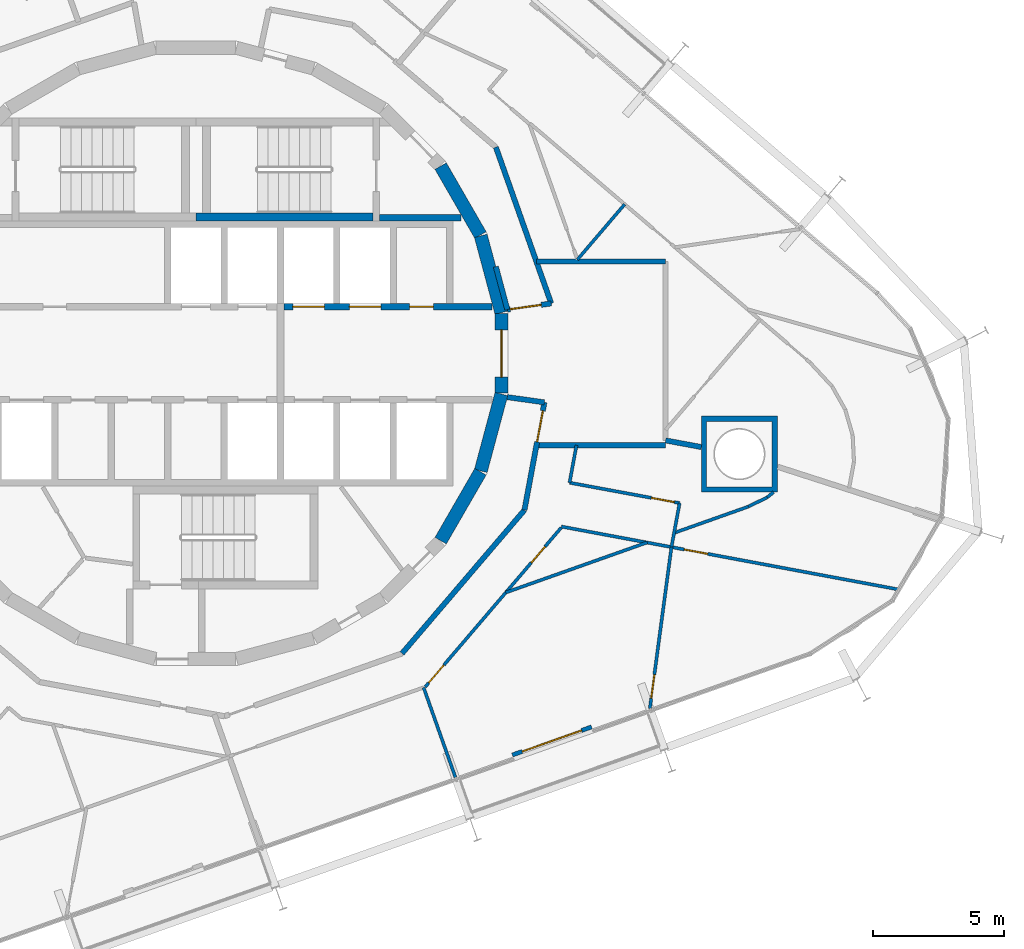
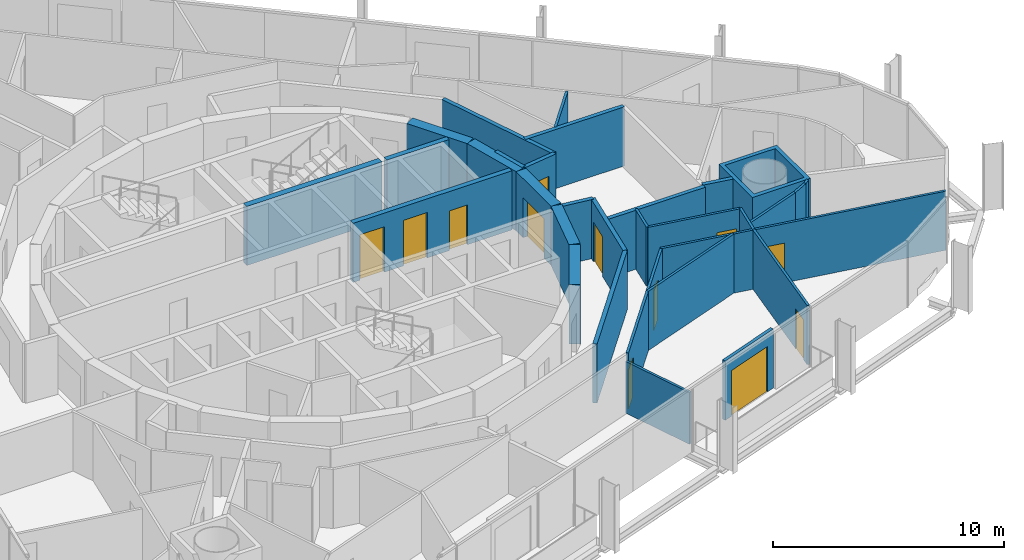
# One storey, part 13 of 17: 31 walls, 12 doors, 12 openings.
"""IFC4 building model written with IfcOpenShell, lengths in metres."""

from ifc_helpers import new_model, si_unit, direction, frame, frame_2d, origin, place, context, subcontext, project, spatial, polyline, rectangle, outline, extrude, material, layer, layer_set, type_object, element, fill, save


model = new_model("IFC4")

# Units and contexts
model_context = context("Model", 3, precision=1e-05, world=origin(), true_north=direction((0.0, 1.0)))
body_context = subcontext(model_context, "Body", "Model", "MODEL_VIEW")
ifc_project = project(units=[si_unit("LENGTHUNIT", "METRE"), si_unit("AREAUNIT", "SQUARE_METRE"), si_unit("VOLUMEUNIT", "CUBIC_METRE"), si_unit("PLANEANGLEUNIT", "RADIAN"), si_unit("MASSUNIT", "GRAM", prefix="KILO")], contexts=[model_context])

# Site, building, storey
site_placement = place(None, origin())
site = spatial("IfcSite", under=ifc_project, at=site_placement, CompositionType="ELEMENT")
building_placement = place(site_placement, origin())
building = spatial("IfcBuilding", under=site, at=building_placement, Name="Spindle Arch Residences", CompositionType="ELEMENT")
storey_placement = place(building_placement, frame((0.0, 0.0, 158.699951171875)))
storey = spatial("IfcBuildingStorey", under=building, at=storey_placement, Name="L39", CompositionType="ELEMENT", Elevation=158.699951171875)

# Walls
ifc_material_1 = material(Name="Concrete C50/60", Category="concrete")
ifc_layer_1 = layer(ifc_material_1, 0.5)
ifc_layer_set_1 = layer_set([ifc_layer_1], Name="Core outline wall 500")
wall_type_1 = type_object("IfcWallType", Name="Core outline wall 500", PredefinedType="SHEAR", material=ifc_layer_set_1)
for number, where, z_axis, x_axis, name in (
    (1, (9.32861328125, -7.13671875, 0.0), (0.0, 0.0, 1.0), (0.500087131594, 0.865975092491, 0.0), "Core outline wall 4"),
    (2, (10.858154296875, -4.479248046875, 0.0), (0.0, 0.0, 1.0), (0.258734743916, 0.965948410781, 0.0), "Core outline wall 5"),
):
    element("IfcWall", number, at=place(storey_placement, frame(where, z_axis=z_axis, x_axis=x_axis)), inside=storey, type_object=wall_type_1, Name=name, PredefinedType="SHEAR", context=body_context, shape_type="SweptSolid", body=[
        extrude(rectangle(XDim=3.03271484375, YDim=0.5, at=frame_2d((1.516357421875, 0.0))), origin(), (0.0, 0.0, 1.0), 3.1201171875),
    ])

# Wall, opening, door
wall_1_placement = place(storey_placement, frame((11.647216796875, -1.516357421875, 0.0), z_axis=(0.0, 0.0, 1.0), x_axis=(0.0, 1.0, 0.0)))
wall_1 = element("IfcWall", 3, at=wall_1_placement, inside=storey, type_object=wall_type_1, Name="Core outline wall 6", PredefinedType="SHEAR", context=body_context, shape_type="SweptSolid", body=[
    extrude(rectangle(XDim=3.03271484375, YDim=0.5, at=frame_2d((1.516357421875, 0.0))), origin(), (0.0, 0.0, 1.0), 3.1201171875),
])
opening_1_placement = place(wall_1_placement, frame((0.6162109375, 0.0, 0.0)))
opening_1 = element("IfcOpeningElement", 4, at=opening_1_placement, cuts=wall_1, Name="Opening R4A0-FE01", PredefinedType="OPENING", context=body_context, shape_type="SweptSolid", body=[
    extrude(rectangle(XDim=1.800048828125, YDim=2.10009765625, at=frame_2d((0.89990234375, 1.050048828125))), frame((0.0, 0.260009765625, 0.0), z_axis=(0.0, -1.0, 0.0), x_axis=(1.0, 0.0, 0.0)), (0.0, 0.0, 1.0), 0.52001953125),
])
ifc_material_2 = material(Name="Steel, fire-resisting door", Category="steel")
door_type_1 = type_object("IfcDoorType", Name="Fire-lift lobby door 1800x2100", OperationType="DOUBLE_DOOR_SINGLE_SWING", PredefinedType="DOOR", material=ifc_material_2)
door_1_placement = place(opening_1_placement, origin())
door_1 = element("IfcDoor", 5, at=door_1_placement, inside=storey, type_object=door_type_1, Name="Fire-lift lobby door R4A0-FE01", OperationType="DOUBLE_DOOR_SINGLE_SWING", OverallHeight=2.10009765625, OverallWidth=1.800048828125, PredefinedType="DOOR", context=body_context, shape_type="SweptSolid", body=[
    extrude(rectangle(XDim=1.800048828125, YDim=2.10009765625, at=frame_2d((0.89990234375, 1.050048828125))), frame((0.0, 0.02490234375, 0.0), z_axis=(0.0, -1.0, 0.0), x_axis=(1.0, 0.0, 0.0)), (0.0, 0.0, 1.0), 0.050048828125),
])
fill(opening_1, door_1)

# Walls
for number, where, z_axis, x_axis, name in (
    (6, (11.642822265625, 1.5498046875, 0.0), (0.0, 0.0, 1.0), (-0.258734743916, 0.965948410781, 0.0), "Core outline wall 7"),
    (7, (10.84521484375, 4.510498046875, 0.0), (0.0, 0.0, 1.0), (-0.500087131594, 0.865975092491, 0.0), "Core outline wall 8"),
):
    element("IfcWall", number, at=place(storey_placement, frame(where, z_axis=z_axis, x_axis=x_axis)), inside=storey, type_object=wall_type_1, Name=name, PredefinedType="SHEAR", context=body_context, shape_type="SweptSolid", body=[
        extrude(rectangle(XDim=3.03271484375, YDim=0.5, at=frame_2d((1.516357421875, 0.0))), origin(), (0.0, 0.0, 1.0), 3.1201171875),
    ])
ifc_material_3 = material(Name="Calcium silicate block, plastered")
ifc_layer_2 = layer(ifc_material_3, 0.199951171875)
ifc_layer_set_2 = layer_set([ifc_layer_2], Name="Corridor wall 200")
wall_type_2 = type_object("IfcWallType", Name="Corridor wall 200", PredefinedType="STANDARD", material=ifc_layer_set_2)
wall_2_placement = place(storey_placement, frame((7.857666015625, -11.432861328125, 0.0), z_axis=(0.0, 0.0, 1.0), x_axis=(0.649440801937, 0.760412154545, 0.0)))
element("IfcWall", 8, at=wall_2_placement, inside=storey, type_object=wall_type_2, Name="Corridor wall R4A0-W020", PredefinedType="STANDARD", context=body_context, shape_type="SweptSolid", body=[
    extrude(rectangle(XDim=7.180908203125, YDim=0.199951171875, at=frame_2d((3.59033203125, 0.0))), origin(), (0.0, 0.0, 1.0), 3.1201171875),
])
ifc_material_4 = material(Name="Calcium silicate block, plastered")
ifc_layer_3 = layer(ifc_material_4, 0.199951171875)
ifc_layer_set_3 = layer_set([ifc_layer_3], Name="Fire-lift lobby bay wall 200")
wall_type_3 = type_object("IfcWallType", Name="Fire-lift lobby bay wall 200", PredefinedType="STANDARD", material=ifc_layer_set_3)
wall_3_placement = place(storey_placement, frame((11.8701171875, 1.668212890625, 0.0), z_axis=(0.0, 0.0, 1.0), x_axis=(-0.258836880648, 0.965921047093, 0.0)))
element("IfcWall", 9, at=wall_3_placement, inside=storey, type_object=wall_type_3, Name="Fire-lift lobby bay wall R4A0-W001", PredefinedType="STANDARD", context=body_context, shape_type="SweptSolid", body=[
    extrude(rectangle(XDim=1.695068359375, YDim=0.199951171875, at=frame_2d((0.84765625, 0.0))), origin(), (0.0, 0.0, 1.0), 3.1201171875),
])

# Wall, opening, door
wall_4_placement = place(storey_placement, frame((11.8701171875, 1.668212890625, 0.0), z_axis=(0.0, 0.0, 1.0), x_axis=(0.990270910415, 0.139152879904, 0.0)))
wall_4 = element("IfcWall", 10, at=wall_4_placement, inside=storey, type_object=wall_type_3, Name="Fire-lift lobby bay wall R4A0-W002", PredefinedType="STANDARD", context=body_context, shape_type="SweptSolid", body=[
    extrude(rectangle(XDim=1.687744140625, YDim=0.199951171875, at=frame_2d((0.84375, 0.0))), origin(), (0.0, 0.0, 1.0), 3.1201171875),
])
opening_2_placement = place(wall_4_placement, frame((0.110107421875, 0.0, 0.0)))
opening_2 = element("IfcOpeningElement", 11, at=opening_2_placement, cuts=wall_4, Name="Opening R4A0-CD01", PredefinedType="OPENING", context=body_context, shape_type="SweptSolid", body=[
    extrude(rectangle(XDim=1.199951171875, YDim=2.10009765625, at=frame_2d((0.60009765625, 1.050048828125))), frame((0.0, 0.10986328125, 0.0), z_axis=(0.0, -1.0, 0.0), x_axis=(1.0, 0.0, 0.0)), (0.0, 0.0, 1.0), 0.219970703125),
])
ifc_material_5 = material(Name="Steel, fire-resisting door", Category="steel")
door_type_2 = type_object("IfcDoorType", Name="Corridor division door 1200x2100", OperationType="NOTDEFINED", PredefinedType="DOOR", material=ifc_material_5)
door_2_placement = place(opening_2_placement, origin())
door_2 = element("IfcDoor", 12, at=door_2_placement, inside=storey, type_object=door_type_2, Name="Corridor division door R4A0-CD01", OperationType="DOUBLE_DOOR_SINGLE_SWING", OverallHeight=2.10009765625, OverallWidth=1.199951171875, PredefinedType="DOOR", context=body_context, shape_type="SweptSolid", body=[
    extrude(rectangle(XDim=1.199951171875, YDim=2.10009765625, at=frame_2d((0.60009765625, 1.050048828125))), frame((0.0, 0.02490234375, 0.0), z_axis=(0.0, -1.0, 0.0), x_axis=(1.0, 0.0, 0.0)), (0.0, 0.0, 1.0), 0.050048828125),
])
fill(opening_2, door_2)

# Wall
wall_5_placement = place(storey_placement, frame((13.54150390625, 1.903076171875, 0.0), z_axis=(0.0, 0.0, 1.0), x_axis=(-0.333808508206, 0.942640907159, 0.0)))
element("IfcWall", 13, at=wall_5_placement, inside=storey, type_object=wall_type_3, Name="Fire-lift lobby bay wall R4A0-W003", PredefinedType="STANDARD", context=body_context, shape_type="SweptSolid", body=[
    extrude(rectangle(XDim=6.31689453125, YDim=0.199951171875, at=frame_2d((3.158447265625, 0.0))), origin(), (0.0, 0.0, 1.0), 3.1201171875),
])

# Wall, opening, door
wall_6_placement = place(storey_placement, frame((12.521240234375, -5.972412109375, 0.0), z_axis=(0.0, 0.0, 1.0), x_axis=(0.182244189886, 0.983253301674, 0.0)))
wall_6 = element("IfcWall", 14, at=wall_6_placement, inside=storey, type_object=wall_type_3, Name="Fire-lift lobby bay wall R4A0-W012", PredefinedType="STANDARD", context=body_context, shape_type="SweptSolid", body=[
    extrude(rectangle(XDim=4.175537109375, YDim=0.199951171875, at=frame_2d((2.087890625, 0.0))), origin(), (0.0, 0.0, 1.0), 3.1201171875),
])
opening_3_placement = place(wall_6_placement, frame((2.64453125, 0.0, 0.0)))
opening_3 = element("IfcOpeningElement", 15, at=opening_3_placement, cuts=wall_6, Name="Opening R4A0-CD02", PredefinedType="OPENING", context=body_context, shape_type="SweptSolid", body=[
    extrude(rectangle(XDim=1.199951171875, YDim=2.10009765625, at=frame_2d((0.60009765625, 1.050048828125))), frame((0.0, 0.10986328125, 0.0), z_axis=(0.0, -1.0, 0.0), x_axis=(1.0, 0.0, 0.0)), (0.0, 0.0, 1.0), 0.219970703125),
])
door_3_placement = place(opening_3_placement, origin())
door_3 = element("IfcDoor", 16, at=door_3_placement, inside=storey, type_object=door_type_2, Name="Corridor division door R4A0-CD02", OperationType="DOUBLE_DOOR_SINGLE_SWING", OverallHeight=2.10009765625, OverallWidth=1.199951171875, PredefinedType="DOOR", context=body_context, shape_type="SweptSolid", body=[
    extrude(rectangle(XDim=1.199951171875, YDim=2.10009765625, at=frame_2d((0.60009765625, 1.050048828125))), frame((0.0, 0.02490234375, 0.0), z_axis=(0.0, -1.0, 0.0), x_axis=(1.0, 0.0, 0.0)), (0.0, 0.0, 1.0), 0.050048828125),
])
fill(opening_3, door_3)

# Walls
wall_7_placement = place(storey_placement, frame((13.2822265625, -1.86669921875, 0.0), z_axis=(0.0, 0.0, 1.0), x_axis=(-0.990265430288, 0.139191873241, 0.0)))
element("IfcWall", 17, at=wall_7_placement, inside=storey, type_object=wall_type_3, Name="Fire-lift lobby bay wall R4A0-W013", PredefinedType="STANDARD", context=body_context, shape_type="SweptSolid", body=[
    extrude(rectangle(XDim=1.426025390625, YDim=0.199951171875, at=frame_2d((0.712890625, 0.0))), origin(), (0.0, 0.0, 1.0), 3.1201171875),
])
wall_8_placement = place(storey_placement, frame((17.89990234375, 3.5, 0.0), z_axis=(0.0, 0.0, 1.0), x_axis=(-1.0, 0.0, 0.0)))
element("IfcWall", 18, at=wall_8_placement, inside=storey, type_object=wall_type_3, Name="Fire-lift lobby bay wall R4A0-W024", PredefinedType="STANDARD", context=body_context, shape_type="SweptSolid", body=[
    extrude(rectangle(XDim=4.923828125, YDim=0.199951171875, at=frame_2d((2.4619140625, 0.0))), origin(), (0.0, 0.0, 1.0), 3.1201171875),
])
wall_9_placement = place(storey_placement, frame((12.9794921875, -3.5, 0.0), z_axis=(0.0, 0.0, 1.0), x_axis=(1.0, 0.0, 0.0)))
element("IfcWall", 19, at=wall_9_placement, inside=storey, type_object=wall_type_3, Name="Fire-lift lobby bay wall R4A0-W026", PredefinedType="STANDARD", context=body_context, shape_type="SweptSolid", body=[
    extrude(rectangle(XDim=4.92041015625, YDim=0.199951171875, at=frame_2d((2.460205078125, 0.0))), origin(), (0.0, 0.0, 1.0), 3.1201171875),
])

# Wall, openings, doors
ifc_material_6 = material(Name="Concrete C40/50", Category="concrete")
ifc_layer_4 = layer(ifc_material_6, 0.25)
ifc_layer_set_4 = layer_set([ifc_layer_4], Name="Fire-lift lobby wall 250")
wall_type_4 = type_object("IfcWallType", Name="Fire-lift lobby wall 250", PredefinedType="SHEAR", material=ifc_layer_set_4)
wall_10_placement = place(storey_placement, frame((3.35009765625, 1.77490234375, 0.0), z_axis=(0.0, 0.0, 1.0), x_axis=(1.0, 0.0, 0.0)))
wall_10 = element("IfcWall", 20, at=wall_10_placement, inside=storey, type_object=wall_type_4, Name="Lift shaft front wall NE", PredefinedType="SHEAR", context=body_context, shape_type="SweptSolid", body=[
    extrude(rectangle(XDim=7.929931640625, YDim=0.25, at=frame_2d((3.96484375, 0.0))), origin(), (0.0, 0.0, 1.0), 3.1201171875),
])
opening_4_placement = place(wall_10_placement, frame((0.35009765625, 0.0, 0.0)))
opening_4 = element("IfcOpeningElement", 21, at=opening_4_placement, cuts=wall_10, Name="Opening R4A0-SLD01", PredefinedType="OPENING", context=body_context, shape_type="SweptSolid", body=[
    extrude(rectangle(XDim=1.199951171875, YDim=2.39990234375, at=frame_2d((0.60009765625, 1.199951171875))), frame((0.0, 0.135009765625, 0.0), z_axis=(0.0, -1.0, 0.0), x_axis=(1.0, 0.0, 0.0)), (0.0, 0.0, 1.0), 0.27001953125),
])
opening_5_placement = place(wall_10_placement, frame((2.5, 0.0, 0.0)))
opening_5 = element("IfcOpeningElement", 22, at=opening_5_placement, cuts=wall_10, Name="Opening R4A0-SLD02", PredefinedType="OPENING", context=body_context, shape_type="SweptSolid", body=[
    extrude(rectangle(XDim=1.199951171875, YDim=2.39990234375, at=frame_2d((0.60009765625, 1.199951171875))), frame((0.0, 0.135009765625, 0.0), z_axis=(0.0, -1.0, 0.0), x_axis=(1.0, 0.0, 0.0)), (0.0, 0.0, 1.0), 0.27001953125),
])
opening_6_placement = place(wall_10_placement, frame((4.800048828125, 0.0, 0.0)))
opening_6 = element("IfcOpeningElement", 23, at=opening_6_placement, cuts=wall_10, Name="Opening R4A0-WD02", PredefinedType="OPENING", context=body_context, shape_type="SweptSolid", body=[
    extrude(rectangle(XDim=0.89990234375, YDim=2.10009765625, at=frame_2d((0.449951171875, 1.050048828125))), frame((0.0, 0.135009765625, 0.0), z_axis=(0.0, -1.0, 0.0), x_axis=(1.0, 0.0, 0.0)), (0.0, 0.0, 1.0), 0.27001953125),
])
ifc_material_7 = material(Name="Steel, fire-resisting landing door", Category="steel")
door_type_3 = type_object("IfcDoorType", Name="Service lift landing door 1200x2400", OperationType="DOUBLE_DOOR_SLIDING", PredefinedType="DOOR", material=ifc_material_7)
door_4_placement = place(opening_4_placement, origin())
door_4 = element("IfcDoor", 24, at=door_4_placement, inside=storey, type_object=door_type_3, Name="Service lift landing door R4A0-SLD01", OperationType="DOUBLE_DOOR_SLIDING", OverallHeight=2.39990234375, OverallWidth=1.199951171875, PredefinedType="DOOR", context=body_context, shape_type="SweptSolid", body=[
    extrude(rectangle(XDim=1.199951171875, YDim=2.39990234375, at=frame_2d((0.60009765625, 1.199951171875))), frame((0.0, 0.02490234375, 0.0), z_axis=(0.0, -1.0, 0.0), x_axis=(1.0, 0.0, 0.0)), (0.0, 0.0, 1.0), 0.050048828125),
])
fill(opening_4, door_4)
door_5_placement = place(opening_5_placement, origin())
door_5 = element("IfcDoor", 25, at=door_5_placement, inside=storey, type_object=door_type_3, Name="Service lift landing door R4A0-SLD02", OperationType="DOUBLE_DOOR_SLIDING", OverallHeight=2.39990234375, OverallWidth=1.199951171875, PredefinedType="DOOR", context=body_context, shape_type="SweptSolid", body=[
    extrude(rectangle(XDim=1.199951171875, YDim=2.39990234375, at=frame_2d((0.60009765625, 1.199951171875))), frame((0.0, 0.02490234375, 0.0), z_axis=(0.0, -1.0, 0.0), x_axis=(1.0, 0.0, 0.0)), (0.0, 0.0, 1.0), 0.050048828125),
])
fill(opening_5, door_5)
ifc_material_8 = material(Name="Steel, fire-resisting door", Category="steel")
door_type_4 = type_object("IfcDoorType", Name="Service room door 900x2100", OperationType="SINGLE_SWING_LEFT", PredefinedType="DOOR", material=ifc_material_8)
door_6_placement = place(opening_6_placement, origin())
door_6 = element("IfcDoor", 26, at=door_6_placement, inside=storey, type_object=door_type_4, Name="Service room door R4A0-WD02", OperationType="SINGLE_SWING_RIGHT", OverallHeight=2.10009765625, OverallWidth=0.89990234375, PredefinedType="DOOR", context=body_context, shape_type="SweptSolid", body=[
    extrude(rectangle(XDim=0.89990234375, YDim=2.10009765625, at=frame_2d((0.449951171875, 1.050048828125))), frame((0.0, 0.02490234375, 0.0), z_axis=(0.0, -1.0, 0.0), x_axis=(1.0, 0.0, 0.0)), (0.0, 0.0, 1.0), 0.050048828125),
])
fill(opening_6, door_6)

# Wall
ifc_material_9 = material(Name="Plasterboard on steel studs", Category="steel")
ifc_layer_5 = layer(ifc_material_9, 0.1201171875)
ifc_layer_set_5 = layer_set([ifc_layer_5], Name="Flat partition 120")
wall_type_5 = type_object("IfcWallType", Name="Flat partition 120", PredefinedType="PARTITIONING", material=ifc_layer_set_5)
wall_11_placement = place(storey_placement, frame((16.340576171875, 5.681884765625, 0.0), z_axis=(0.0, 0.0, 1.0), x_axis=(-0.64946993237, -0.76038727432, 0.0)))
element("IfcWall", 27, at=wall_11_placement, inside=storey, type_object=wall_type_5, Name="Flat partition R4A0-W045", PredefinedType="PARTITIONING", context=body_context, shape_type="SweptSolid", body=[
    extrude(rectangle(XDim=2.771240234375, YDim=0.1201171875, at=frame_2d((1.3857421875, 0.0))), origin(), (0.0, 0.0, 1.0), 3.1201171875),
])

# Wall, openings, doors
wall_12_placement = place(storey_placement, frame((8.7373046875, -12.712646484375, 0.0), z_axis=(0.0, 0.0, 1.0), x_axis=(0.649430604754, 0.760420863476, 0.0)))
wall_12 = element("IfcWall", 28, at=wall_12_placement, inside=storey, type_object=wall_type_5, Name="Flat partition R4A0-W112", PredefinedType="PARTITIONING", context=body_context, shape_type="SweptSolid", body=[
    extrude(rectangle(XDim=7.98486328125, YDim=0.1201171875, at=frame_2d((3.992431640625, 0.0))), origin(), (0.0, 0.0, 1.0), 3.1201171875),
])
opening_7_placement = place(wall_12_placement, frame((0.199951171875, 0.0, 0.0)))
opening_7 = element("IfcOpeningElement", 29, at=opening_7_placement, cuts=wall_12, Name="Opening R4A0-ID26", PredefinedType="OPENING", context=body_context, shape_type="SweptSolid", body=[
    extrude(rectangle(XDim=0.89990234375, YDim=2.10009765625, at=frame_2d((0.449951171875, 1.050048828125))), frame((0.0, 0.070068359375, 0.0), z_axis=(0.0, -1.0, 0.0), x_axis=(1.0, 0.0, 0.0)), (0.0, 0.0, 1.0), 0.14013671875),
])
opening_8_placement = place(wall_12_placement, frame((6.234130859375, 0.0, 0.0)))
opening_8 = element("IfcOpeningElement", 30, at=opening_8_placement, cuts=wall_12, Name="Opening R4A0-BD06", PredefinedType="OPENING", context=body_context, shape_type="SweptSolid", body=[
    extrude(rectangle(XDim=0.800048828125, YDim=2.10009765625, at=frame_2d((0.39990234375, 1.050048828125))), frame((0.0, 0.070068359375, 0.0), z_axis=(0.0, -1.0, 0.0), x_axis=(1.0, 0.0, 0.0)), (0.0, 0.0, 1.0), 0.14013671875),
])
ifc_material_10 = material(Name="Timber door set", Category="wood")
door_type_5 = type_object("IfcDoorType", Name="Bathroom door 800x2100", OperationType="NOTDEFINED", PredefinedType="DOOR", material=ifc_material_10)
door_7_placement = place(opening_8_placement, origin())
door_7 = element("IfcDoor", 31, at=door_7_placement, inside=storey, type_object=door_type_5, Name="Bathroom door R4A0-BD06", OperationType="SINGLE_SWING_RIGHT", OverallHeight=2.10009765625, OverallWidth=0.800048828125, PredefinedType="DOOR", context=body_context, shape_type="SweptSolid", body=[
    extrude(rectangle(XDim=0.800048828125, YDim=2.10009765625, at=frame_2d((0.39990234375, 1.050048828125))), frame((0.0, 0.02490234375, 0.0), z_axis=(0.0, -1.0, 0.0), x_axis=(1.0, 0.0, 0.0)), (0.0, 0.0, 1.0), 0.050048828125),
])
fill(opening_8, door_7)
ifc_material_11 = material(Name="Timber door set", Category="wood")
door_type_6 = type_object("IfcDoorType", Name="Room door 900x2100", OperationType="NOTDEFINED", PredefinedType="DOOR", material=ifc_material_11)
door_8_placement = place(opening_7_placement, origin())
door_8 = element("IfcDoor", 32, at=door_8_placement, inside=storey, type_object=door_type_6, Name="Room door R4A0-ID26", OperationType="SINGLE_SWING_RIGHT", OverallHeight=2.10009765625, OverallWidth=0.89990234375, PredefinedType="DOOR", context=body_context, shape_type="SweptSolid", body=[
    extrude(rectangle(XDim=0.89990234375, YDim=2.10009765625, at=frame_2d((0.449951171875, 1.050048828125))), frame((0.0, 0.02490234375, 0.0), z_axis=(0.0, -1.0, 0.0), x_axis=(1.0, 0.0, 0.0)), (0.0, 0.0, 1.0), 0.050048828125),
])
fill(opening_7, door_8)

# Wall, opening, door
wall_13_placement = place(storey_placement, frame((13.930419921875, -6.60009765625, 0.0), z_axis=(0.0, 0.0, 1.0), x_axis=(0.983034896283, -0.183418626887, 0.0)))
wall_13 = element("IfcWall", 33, at=wall_13_placement, inside=storey, type_object=wall_type_5, Name="Flat partition R4A0-W113", PredefinedType="PARTITIONING", context=body_context, shape_type="SweptSolid", body=[
    extrude(rectangle(XDim=13.065673828125, YDim=0.1201171875, at=frame_2d((6.53271484375, 0.0))), origin(), (0.0, 0.0, 1.0), 3.1201171875),
])
opening_9_placement = place(wall_13_placement, frame((4.765625, 0.0, 0.0)))
opening_9 = element("IfcOpeningElement", 34, at=opening_9_placement, cuts=wall_13, Name="Opening R4A0-ID29", PredefinedType="OPENING", context=body_context, shape_type="SweptSolid", body=[
    extrude(rectangle(XDim=0.89990234375, YDim=2.10009765625, at=frame_2d((0.449951171875, 1.050048828125))), frame((0.0, 0.070068359375, 0.0), z_axis=(0.0, -1.0, 0.0), x_axis=(1.0, 0.0, 0.0)), (0.0, 0.0, 1.0), 0.14013671875),
])
door_9_placement = place(opening_9_placement, origin())
door_9 = element("IfcDoor", 35, at=door_9_placement, inside=storey, type_object=door_type_6, Name="Room door R4A0-ID29", OperationType="SINGLE_SWING_RIGHT", OverallHeight=2.10009765625, OverallWidth=0.89990234375, PredefinedType="DOOR", context=body_context, shape_type="SweptSolid", body=[
    extrude(rectangle(XDim=0.89990234375, YDim=2.10009765625, at=frame_2d((0.449951171875, 1.050048828125))), frame((0.0, 0.02490234375, 0.0), z_axis=(0.0, -1.0, 0.0), x_axis=(1.0, 0.0, 0.0)), (0.0, 0.0, 1.0), 0.050048828125),
])
fill(opening_9, door_9)

# Wall
wall_14_placement = place(storey_placement, frame((18.124755859375, -7.37744140625, 0.0), z_axis=(0.0, 0.0, 1.0), x_axis=(0.182233242958, 0.983255330604, 0.0)))
element("IfcWall", 36, at=wall_14_placement, inside=storey, type_object=wall_type_5, Name="Flat partition R4A0-W114", PredefinedType="PARTITIONING", context=body_context, shape_type="SweptSolid", body=[
    extrude(rectangle(XDim=1.7001953125, YDim=0.1201171875, at=frame_2d((0.85009765625, 0.0))), origin(), (0.0, 0.0, 1.0), 3.1201171875),
])

# Wall, opening, door
wall_15_placement = place(storey_placement, frame((18.4345703125, -5.705810546875, 0.0), z_axis=(0.0, 0.0, 1.0), x_axis=(-0.983256187302, 0.18222862051, 0.0)))
wall_15 = element("IfcWall", 37, at=wall_15_placement, inside=storey, type_object=wall_type_5, Name="Flat partition R4A0-W115", PredefinedType="PARTITIONING", context=body_context, shape_type="SweptSolid", body=[
    extrude(rectangle(XDim=4.265869140625, YDim=0.1201171875, at=frame_2d((2.1328125, 0.0))), origin(), (0.0, 0.0, 1.0), 3.1201171875),
])
opening_10_placement = place(wall_15_placement, frame((0.199951171875, 0.0, 0.0)))
opening_10 = element("IfcOpeningElement", 38, at=opening_10_placement, cuts=wall_15, Name="Opening R4A0-ID27", PredefinedType="OPENING", context=body_context, shape_type="SweptSolid", body=[
    extrude(rectangle(XDim=0.89990234375, YDim=2.10009765625, at=frame_2d((0.449951171875, 1.050048828125))), frame((0.0, 0.070068359375, 0.0), z_axis=(0.0, -1.0, 0.0), x_axis=(1.0, 0.0, 0.0)), (0.0, 0.0, 1.0), 0.14013671875),
])
door_10_placement = place(opening_10_placement, origin())
door_10 = element("IfcDoor", 39, at=door_10_placement, inside=storey, type_object=door_type_6, Name="Room door R4A0-ID27", OperationType="SINGLE_SWING_LEFT", OverallHeight=2.10009765625, OverallWidth=0.89990234375, PredefinedType="DOOR", context=body_context, shape_type="SweptSolid", body=[
    extrude(rectangle(XDim=0.89990234375, YDim=2.10009765625, at=frame_2d((0.449951171875, 1.050048828125))), frame((0.0, 0.02490234375, 0.0), z_axis=(0.0, -1.0, 0.0), x_axis=(1.0, 0.0, 0.0)), (0.0, 0.0, 1.0), 0.050048828125),
])
fill(opening_10, door_10)

# Walls
wall_16_placement = place(storey_placement, frame((14.240234375, -4.928466796875, 0.0), z_axis=(0.0, 0.0, 1.0), x_axis=(0.182329957282, 0.983237400976, 0.0)))
element("IfcWall", 40, at=wall_16_placement, inside=storey, type_object=wall_type_5, Name="Flat partition R4A0-W116", PredefinedType="PARTITIONING", context=body_context, shape_type="SweptSolid", body=[
    extrude(rectangle(XDim=1.452880859375, YDim=0.1201171875, at=frame_2d((0.7265625, 0.0))), origin(), (0.0, 0.0, 1.0), 3.1201171875),
])
wall_17_placement = place(storey_placement, frame((17.197509765625, -7.20556640625, 0.0), z_axis=(0.0, 0.0, 1.0), x_axis=(-0.942639551003, -0.333812337826, 0.0)))
element("IfcWall", 41, at=wall_17_placement, inside=storey, type_object=wall_type_5, Name="Flat partition R4A0-W118", PredefinedType="PARTITIONING", context=body_context, shape_type="SweptSolid", body=[
    extrude(rectangle(XDim=5.71337890625, YDim=0.1201171875, at=frame_2d((2.856689453125, 0.0))), origin(), (0.0, 0.0, 1.0), 3.1201171875),
])

# Wall, opening, door
wall_18_placement = place(storey_placement, frame((17.30029296875, -13.5341796875, 0.0), z_axis=(0.0, 0.0, 1.0), x_axis=(0.132727504799, 0.991152566192, 0.0)))
wall_18 = element("IfcWall", 42, at=wall_18_placement, inside=storey, type_object=wall_type_5, Name="Flat partition R4A0-W119", PredefinedType="PARTITIONING", context=body_context, shape_type="SweptSolid", body=[
    extrude(rectangle(XDim=6.211669921875, YDim=0.1201171875, at=frame_2d((3.10595703125, 0.0))), origin(), (0.0, 0.0, 1.0), 3.1201171875),
])
opening_11_placement = place(wall_18_placement, frame((0.39990234375, 0.0, 0.0)))
opening_11 = element("IfcOpeningElement", 43, at=opening_11_placement, cuts=wall_18, Name="Opening R4A0-ID28", PredefinedType="OPENING", context=body_context, shape_type="SweptSolid", body=[
    extrude(rectangle(XDim=0.89990234375, YDim=2.10009765625, at=frame_2d((0.449951171875, 1.050048828125))), frame((0.0, 0.070068359375, 0.0), z_axis=(0.0, -1.0, 0.0), x_axis=(1.0, 0.0, 0.0)), (0.0, 0.0, 1.0), 0.14013671875),
])
door_11_placement = place(opening_11_placement, origin())
door_11 = element("IfcDoor", 44, at=door_11_placement, inside=storey, type_object=door_type_6, Name="Room door R4A0-ID28", OperationType="SINGLE_SWING_RIGHT", OverallHeight=2.10009765625, OverallWidth=0.89990234375, PredefinedType="DOOR", context=body_context, shape_type="SweptSolid", body=[
    extrude(rectangle(XDim=0.89990234375, YDim=2.10009765625, at=frame_2d((0.449951171875, 1.050048828125))), frame((0.0, 0.02490234375, 0.0), z_axis=(0.0, -1.0, 0.0), x_axis=(1.0, 0.0, 0.0)), (0.0, 0.0, 1.0), 0.050048828125),
])
fill(opening_11, door_11)

# Walls
wall_19_placement = place(storey_placement, frame((22.013427734375, -5.2890625, 0.0), z_axis=(0.0, 0.0, 1.0), x_axis=(-0.771907381926, -0.635735002755, 0.0)))
element("IfcWall", 45, at=wall_19_placement, inside=storey, type_object=wall_type_5, Name="Flat partition R4A0-W120", PredefinedType="PARTITIONING", context=body_context, shape_type="SweptSolid", body=[
    extrude(rectangle(XDim=0.308349609375, YDim=0.1201171875, at=frame_2d((0.154296875, 0.0))), origin(), (0.0, 0.0, 1.0), 3.1201171875),
])
wall_20_placement = place(storey_placement, frame((21.775390625, -5.485107421875, 0.0), z_axis=(0.0, 0.0, 1.0), x_axis=(-0.897493373385, -0.441027940986, 0.0)))
element("IfcWall", 46, at=wall_20_placement, inside=storey, type_object=wall_type_5, Name="Flat partition R4A0-W121", PredefinedType="PARTITIONING", context=body_context, shape_type="SweptSolid", body=[
    extrude(rectangle(XDim=0.806640625, YDim=0.1201171875, at=frame_2d((0.4033203125, 0.0))), origin(), (0.0, 0.0, 1.0), 3.1201171875),
])
wall_21_placement = place(storey_placement, frame((21.051513671875, -5.8408203125, 0.0), z_axis=(0.0, 0.0, 1.0), x_axis=(-0.94262615799, -0.33385015542, 0.0)))
element("IfcWall", 47, at=wall_21_placement, inside=storey, type_object=wall_type_5, Name="Flat partition R4A0-W122", PredefinedType="PARTITIONING", context=body_context, shape_type="SweptSolid", body=[
    extrude(rectangle(XDim=2.999755859375, YDim=0.1201171875, at=frame_2d((1.5, 0.0))), origin(), (0.0, 0.0, 1.0), 3.1201171875),
])
ifc_material_12 = material(Name="Plasterboard on steel studs", Category="steel")
ifc_layer_6 = layer(ifc_material_12, 0.1201171875)
ifc_layer_set_6 = layer_set([ifc_layer_6], Name="Flat partition 120 under beam 2730")
wall_type_6 = type_object("IfcWallType", Name="Flat partition 120 under beam 2730", PredefinedType="PARTITIONING", material=ifc_layer_set_6)
wall_22_placement = place(storey_placement, frame((9.89111328125, -16.157958984375, 0.0), z_axis=(0.0, 0.0, 1.0), x_axis=(-0.33385336213, 0.942625022262, 0.0)))
element("IfcWall", 48, at=wall_22_placement, inside=storey, type_object=wall_type_6, Name="Flat partition R4A0-W117", PredefinedType="PARTITIONING", context=body_context, shape_type="SweptSolid", body=[
    extrude(rectangle(XDim=3.633056640625, YDim=0.1201171875, at=frame_2d((1.81640625, 0.0))), origin(), (0.0, 0.0, 1.0), 2.72998046875),
])
ifc_material_13 = material(Name="Calcium silicate block, plastered")
ifc_layer_7 = layer(ifc_material_13, 0.199951171875)
ifc_layer_set_7 = layer_set([ifc_layer_7], Name="Flat party wall 200")
wall_type_7 = type_object("IfcWallType", Name="Flat party wall 200", PredefinedType="STANDARD", material=ifc_layer_set_7)
wall_23_placement = place(storey_placement, frame((17.89990234375, -3.317626953125, 0.0), z_axis=(0.0, 0.0, 1.0), x_axis=(0.983252800712, -0.182246892682, 0.0)))
element("IfcWall", 49, at=wall_23_placement, inside=storey, type_object=wall_type_7, Name="Flat party wall R4A0-W029", PredefinedType="STANDARD", context=body_context, shape_type="SweptSolid", body=[
    extrude(rectangle(XDim=1.386474609375, YDim=0.199951171875, at=frame_2d((0.693359375, 0.0))), origin(), (0.0, 0.0, 1.0), 3.1201171875),
])

# Wall, opening, door
ifc_material_14 = material(Name="Non-combustible mineral wool insulated aluminium faced external wall (K0)", Category="aluminium")
ifc_layer_8 = layer(ifc_material_14, 0.159912109375)
ifc_layer_set_8 = layer_set([ifc_layer_8], Name="Insulated external wall panel 160")
wall_type_8 = type_object("IfcWallType", Name="Insulated external wall panel 160", PredefinedType="STANDARD", material=ifc_layer_set_8)
wall_24_placement = place(storey_placement, frame((12.060791015625, -15.304931640625, 0.0), z_axis=(0.0, 0.0, 1.0), x_axis=(0.942620722428, 0.333865502335, 0.0)))
wall_24 = element("IfcWall", 50, at=wall_24_placement, inside=storey, type_object=wall_type_8, Name="External wall L39 bay 1", PredefinedType="STANDARD", context=body_context, shape_type="SweptSolid", body=[
    extrude(rectangle(XDim=3.199951171875, YDim=0.159912109375, at=frame_2d((1.60009765625, 0.0))), origin(), (0.0, 0.0, 1.0), 3.1201171875),
])
opening_12_placement = place(wall_24_placement, frame((0.39990234375, 0.0, 0.0)))
opening_12 = element("IfcOpeningElement", 51, at=opening_12_placement, cuts=wall_24, Name="Opening BD01", PredefinedType="OPENING", context=body_context, shape_type="SweptSolid", body=[
    extrude(rectangle(XDim=2.39990234375, YDim=2.39990234375, at=frame_2d((1.199951171875, 1.199951171875))), frame((0.0, 0.08984375, 0.0), z_axis=(0.0, -1.0, 0.0), x_axis=(1.0, 0.0, 0.0)), (0.0, 0.0, 1.0), 0.179931640625),
])
ifc_material_15 = material(Name="Bronze aluminium frame, tinted double glazing", Category="aluminium")
door_type_7 = type_object("IfcDoorType", Name="Sliding glazed balcony door 2400x2400", OperationType="DOUBLE_DOOR_SLIDING", PredefinedType="DOOR", material=ifc_material_15)
door_12_placement = place(opening_12_placement, origin())
door_12 = element("IfcDoor", 52, at=door_12_placement, inside=storey, type_object=door_type_7, Name="Balcony door BD01", OperationType="DOUBLE_DOOR_SLIDING", OverallHeight=2.39990234375, OverallWidth=2.39990234375, PredefinedType="DOOR", context=body_context, shape_type="SweptSolid", body=[
    extrude(rectangle(XDim=2.39990234375, YDim=2.39990234375, at=frame_2d((1.199951171875, 1.199951171875))), frame((0.0, 0.02490234375, 0.0), z_axis=(0.0, -1.0, 0.0), x_axis=(1.0, 0.0, 0.0)), (0.0, 0.0, 1.0), 0.050048828125),
])
fill(opening_12, door_12)

# Walls
ifc_material_16 = material(Name="Calcium silicate block, plastered")
ifc_layer_9 = layer(ifc_material_16, 0.199951171875)
ifc_layer_set_9 = layer_set([ifc_layer_9], Name="Mega-column casing wall 200")
wall_type_9 = type_object("IfcWallType", Name="Mega-column casing wall 200", PredefinedType="STANDARD", material=ifc_layer_set_9)
wall_25_placement = place(storey_placement, origin())
element("IfcWall", 53, at=wall_25_placement, inside=storey, type_object=wall_type_9, Name="Mega-column casing wall R4A0-WC03", PredefinedType="STANDARD", context=body_context, shape_type="SweptSolid", body=[
    extrude(outline(polyline([(22.1630859375, -2.388916015625), (22.1630859375, -5.2890625), (19.26318359375, -5.2890625), (19.26318359375, -2.388916015625), (22.1630859375, -2.388916015625)]), holes=[polyline([(19.463134765625, -5.089111328125), (21.963134765625, -5.089111328125), (21.963134765625, -2.589111328125), (19.463134765625, -2.589111328125), (19.463134765625, -5.089111328125)])]), origin(), (0.0, 0.0, 1.0), 3.1201171875),
])
ifc_material_17 = material(Name="Concrete C40/50", Category="concrete")
ifc_layer_10 = layer(ifc_material_17, 0.25)
ifc_layer_set_10 = layer_set([ifc_layer_10], Name="Stair airlock wall 250")
wall_type_10 = type_object("IfcWallType", Name="Stair airlock wall 250", PredefinedType="SHEAR", material=ifc_layer_set_10)
wall_26_placement = place(storey_placement, frame((7.0, 5.175048828125, 0.0), z_axis=(0.0, 0.0, 1.0), x_axis=(1.0, 0.0, 0.0)))
element("IfcWall", 54, at=wall_26_placement, inside=storey, type_object=wall_type_10, Name="Stair ST-1 airlock wall S", PredefinedType="SHEAR", context=body_context, shape_type="SweptSolid", body=[
    extrude(rectangle(XDim=3.10009765625, YDim=0.25, at=frame_2d((1.550048828125, 0.0))), origin(), (0.0, 0.0, 1.0), 3.1201171875),
])
ifc_material_18 = material(Name="Concrete C50/60", Category="concrete")
ifc_layer_11 = layer(ifc_material_18, 0.300048828125)
ifc_layer_set_11 = layer_set([ifc_layer_11], Name="Stair enclosure wall 300")
wall_type_11 = type_object("IfcWallType", Name="Stair enclosure wall 300", PredefinedType="SHEAR", material=ifc_layer_set_11)
wall_27_placement = place(storey_placement, frame((0.0, 5.199951171875, 0.0), z_axis=(0.0, 0.0, 1.0), x_axis=(1.0, 0.0, 0.0)))
element("IfcWall", 55, at=wall_27_placement, inside=storey, type_object=wall_type_11, Name="Stair ST-1 enclosure wall S", PredefinedType="SHEAR", context=body_context, shape_type="SweptSolid", body=[
    extrude(rectangle(XDim=6.75, YDim=0.300048828125, at=frame_2d((3.375, 0.0))), origin(), (0.0, 0.0, 1.0), 3.1201171875),
])

save(model, "model.ifc")
